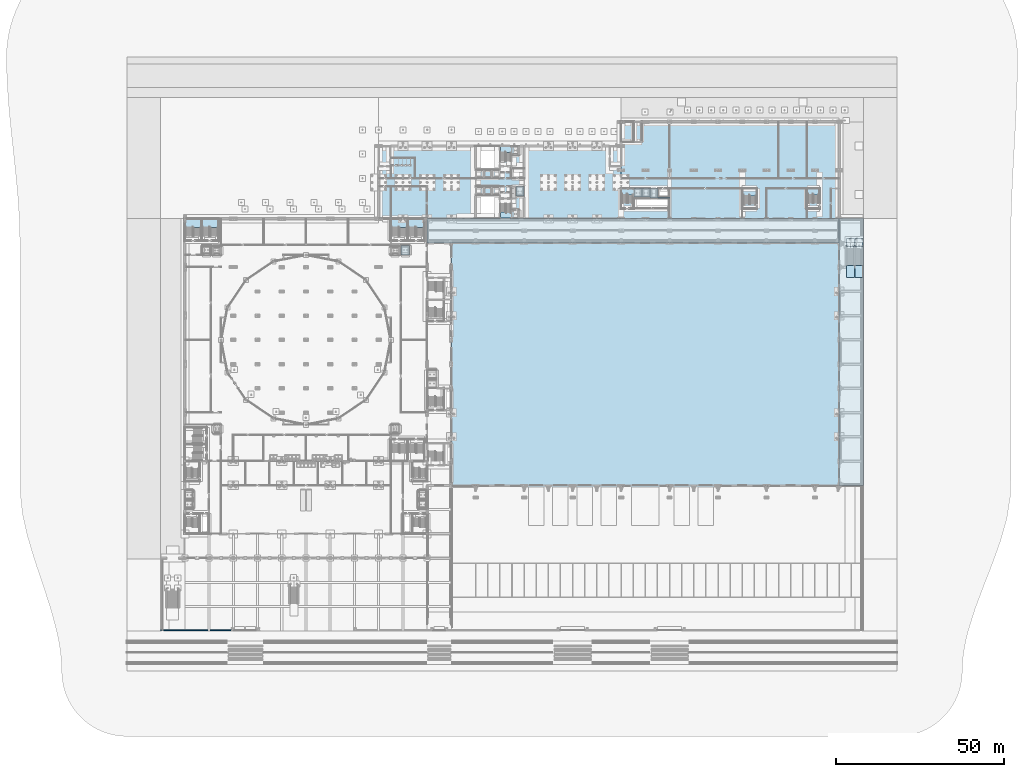
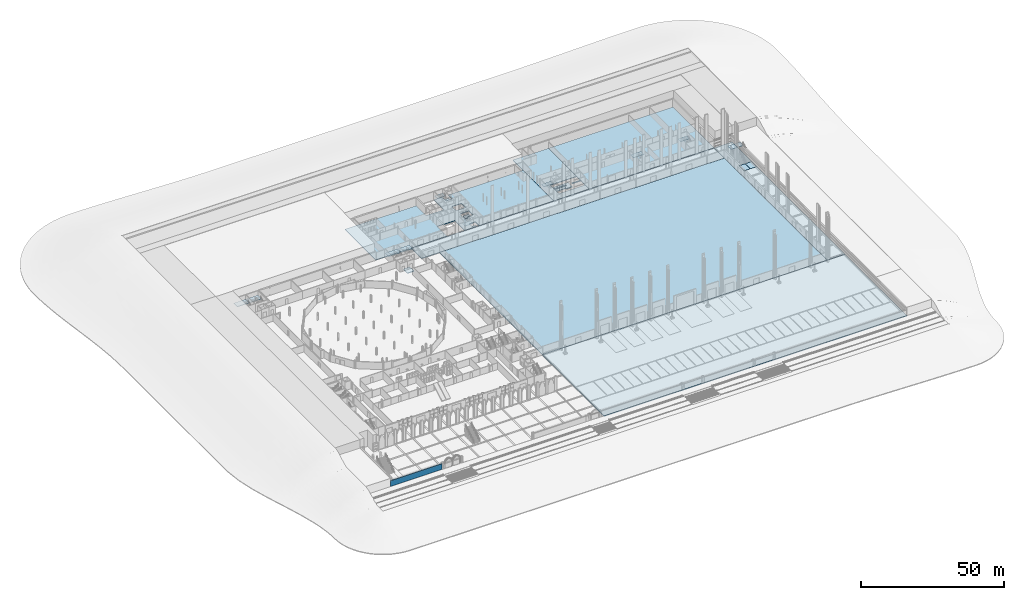
# One storey, part 74 of 148: 28 slabs, 1 wall, 11 elements without a shape of their own.
"""IFC4 building model written with IfcOpenShell, lengths in metres."""

from ifc_helpers import new_model, si_unit, direction, frame, frame_2d, origin, place, context, subcontext, project, spatial, polyline, rectangle, outline, extrude, material, layer, layer_set, type_object, element, aggregate, save


model = new_model("IFC4")

# Units and contexts
model_context = context("Model", 3, precision=1e-05, world=origin(), true_north=direction((0.0, 1.0)))
body_context = subcontext(model_context, "Body", "Model", "MODEL_VIEW")
ifc_project = project(units=[si_unit("LENGTHUNIT", "METRE"), si_unit("AREAUNIT", "SQUARE_METRE"), si_unit("VOLUMEUNIT", "CUBIC_METRE"), si_unit("PLANEANGLEUNIT", "RADIAN"), si_unit("MASSUNIT", "GRAM", prefix="KILO")], contexts=[model_context])

# Site, building, storey
site_placement = place(None, origin())
site = spatial("IfcSite", under=ifc_project, at=site_placement, CompositionType="ELEMENT")
building_placement = place(site_placement, origin())
building = spatial("IfcBuilding", under=site, at=building_placement, Name="Kupolbacken Congress Centre", CompositionType="ELEMENT")
storey_placement = place(building_placement, origin())
storey = spatial("IfcBuildingStorey", under=building, at=storey_placement, Name="L00", CompositionType="ELEMENT", Elevation=0.0)

# Slabs
ifc_material_1 = material(Name="Concrete C30/37", Category="concrete")
ifc_layer_1 = layer(ifc_material_1, 0.22998046875)
ifc_layer_set_1 = layer_set([ifc_layer_1], Name="Concrete C30/37")
slab_type_1 = type_object("IfcSlabType", Name="BS1 slab 230", PredefinedType="BASESLAB", material=ifc_layer_set_1)
slab_1_placement = place(storey_placement, frame((0.0, 0.0, -0.22998046875)))
element("IfcSlab", 1, at=slab_1_placement, inside=storey, type_object=slab_type_1, Name="S/ground/LANE", PredefinedType="BASESLAB", context=body_context, shape_type="SweptSolid", body=[
    extrude(outline(polyline([(201.599609375, 115.200439453125), (201.599609375, 122.3994140625), (79.200439453125, 122.3994140625), (79.200439453125, 115.200439453125), (201.599609375, 115.200439453125)])), origin(), (0.0, 0.0, 1.0), 0.22998046875),
])
slab_2_placement = place(storey_placement, frame((0.0, 0.0, -0.22998046875)))
element("IfcSlab", 2, at=slab_2_placement, inside=storey, type_object=slab_type_1, Name="S/ground/EAST_STRIP", PredefinedType="BASESLAB", context=body_context, shape_type="SweptSolid", body=[
    extrude(outline(polyline([(201.6005859375, 43.200439453125), (208.798583984375, 43.200439453125), (208.798583984375, 122.3994140625), (201.6005859375, 122.3994140625), (201.6005859375, 43.200439453125)]), holes=[polyline([(206.299560546875, 108.550537109375), (208.700439453125, 108.550537109375), (208.700439453125, 104.949462890625), (206.299560546875, 104.949462890625), (206.299560546875, 108.550537109375)]), polyline([(203.699462890625, 108.550537109375), (206.1005859375, 108.550537109375), (206.1005859375, 104.949462890625), (203.699462890625, 104.949462890625), (203.699462890625, 108.550537109375)])]), origin(), (0.0, 0.0, 1.0), 0.22998046875),
])
ifc_material_2 = material(Name="Concrete C30/37", Category="concrete")
ifc_layer_2 = layer(ifc_material_2, 0.260009765625)
ifc_layer_set_2 = layer_set([ifc_layer_2], Name="Concrete C30/37")
slab_type_2 = type_object("IfcSlabType", Name="BS2 slab 260", PredefinedType="BASESLAB", material=ifc_layer_set_2)
slab_3_placement = place(storey_placement, frame((0.0, 0.0, -0.260009765625)))
element("IfcSlab", 3, at=slab_3_placement, inside=storey, type_object=slab_type_2, Name="S/ground/T", PredefinedType="BASESLAB", context=body_context, shape_type="SweptSolid", body=[
    extrude(outline(polyline([(64.800537109375, 122.400390625), (93.599609375, 122.400390625), (93.599609375, 129.400390625), (100.800537109375, 129.400390625), (100.800537109375, 122.400390625), (104.199462890625, 122.400390625), (104.199462890625, 125.1005859375), (106.6005859375, 125.1005859375), (106.6005859375, 122.400390625), (136.799560546875, 122.400390625), (136.799560546875, 143.99951171875), (106.6005859375, 143.99951171875), (106.6005859375, 141.299560546875), (104.199462890625, 141.299560546875), (104.199462890625, 143.99951171875), (100.800537109375, 143.99951171875), (100.800537109375, 136.99951171875), (93.599609375, 136.99951171875), (93.599609375, 143.99951171875), (64.800537109375, 143.99951171875), (64.800537109375, 122.400390625)]), holes=[polyline([(105.6005859375, 128.3994140625), (104.199462890625, 128.3994140625), (104.199462890625, 132.00048828125), (108.00048828125, 132.00048828125), (108.00048828125, 129.099609375), (105.6005859375, 129.099609375), (105.6005859375, 128.3994140625)]), polyline([(104.199462890625, 134.3994140625), (104.199462890625, 137.300537109375), (108.00048828125, 137.300537109375), (108.00048828125, 134.3994140625), (104.199462890625, 134.3994140625)])]), origin(), (0.0, 0.0, 1.0), 0.260009765625),
])
slab_4_placement = place(storey_placement, frame((0.0, 0.0, -0.260009765625)))
element("IfcSlab", 4, at=slab_4_placement, inside=storey, type_object=slab_type_2, Name="S/ground/BF", PredefinedType="BASESLAB", context=body_context, shape_type="SweptSolid", body=[
    extrude(outline(polyline([(136.800537109375, 122.400390625), (151.199462890625, 122.400390625), (151.199462890625, 125.3994140625), (140.599609375, 125.3994140625), (140.599609375, 128.50048828125), (145.3994140625, 128.50048828125), (145.3994140625, 128.799560546875), (140.599609375, 128.799560546875), (140.599609375, 131.400390625), (151.199462890625, 131.400390625), (151.199462890625, 151.199462890625), (136.800537109375, 151.199462890625), (136.800537109375, 122.400390625)])), origin(), (0.0, 0.0, 1.0), 0.260009765625),
])
slab_5_placement = place(storey_placement, frame((0.0, 0.0, -0.260009765625)))
element("IfcSlab", 5, at=slab_5_placement, inside=storey, type_object=slab_type_2, Name="S/ground/BF/q1", PredefinedType="BASESLAB", context=body_context, shape_type="SweptSolid", body=[
    extrude(outline(polyline([(151.199462890625, 128.799560546875), (147.800537109375, 128.799560546875), (147.800537109375, 128.50048828125), (151.199462890625, 128.50048828125), (151.199462890625, 128.799560546875)])), origin(), (0.0, 0.0, 1.0), 0.260009765625),
])
slab_6_placement = place(storey_placement, frame((0.0, 0.0, -0.260009765625)))
element("IfcSlab", 6, at=slab_6_placement, inside=storey, type_object=slab_type_2, Name="S/ground/B", PredefinedType="BASESLAB", context=body_context, shape_type="SweptSolid", body=[
    extrude(outline(polyline([(201.599609375, 122.400390625), (201.599609375, 151.199462890625), (151.200439453125, 151.199462890625), (151.200439453125, 122.400390625), (201.599609375, 122.400390625)])), origin(), (0.0, 0.0, 1.0), 0.260009765625),
])
ifc_material_3 = material(Name="Concrete C30/37", Category="concrete")
ifc_layer_3 = layer(ifc_material_3, 0.300048828125)
ifc_layer_set_3 = layer_set([ifc_layer_3], Name="Concrete C30/37")
slab_type_3 = type_object("IfcSlabType", Name="BS3 slab 300", PredefinedType="BASESLAB", material=ifc_layer_set_3)
slab_7_placement = place(storey_placement, frame((0.0, 0.0, -0.300048828125)))
element("IfcSlab", 7, at=slab_7_placement, inside=storey, type_object=slab_type_3, Name="S/ground/H", PredefinedType="BASESLAB", context=body_context, shape_type="SweptSolid", body=[
    extrude(outline(polyline([(201.599609375, 43.200439453125), (201.599609375, 115.199462890625), (86.400390625, 115.199462890625), (86.400390625, 43.200439453125), (201.599609375, 43.200439453125)])), origin(), (0.0, 0.0, 1.0), 0.300048828125),
])
slab_8_placement = place(storey_placement, frame((0.0, 0.0, -1.699951171875)))
element("IfcSlab", 8, at=slab_8_placement, inside=storey, type_object=slab_type_3, Name="Lift pit slab LG2", PredefinedType="BASESLAB", context=body_context, shape_type="SweptSolid", body=[
    extrude(outline(polyline([(71.39990234375, 111.60009765625), (74.0, 111.60009765625), (74.0, 114.5), (71.39990234375, 114.5), (71.39990234375, 111.60009765625)])), origin(), (0.0, 0.0, 1.0), 0.300048828125),
])
slab_9_placement = place(storey_placement, frame((0.0, 0.0, -1.699951171875)))
element("IfcSlab", 9, at=slab_9_placement, inside=storey, type_object=slab_type_3, Name="Lift pit slab LF1", PredefinedType="BASESLAB", context=body_context, shape_type="SweptSolid", body=[
    extrude(outline(polyline([(104.199951171875, 122.39990234375), (106.60009765625, 122.39990234375), (106.60009765625, 125.10009765625), (104.199951171875, 125.10009765625), (104.199951171875, 122.39990234375)])), origin(), (0.0, 0.0, 1.0), 0.300048828125),
])
slab_10_placement = place(storey_placement, frame((0.0, 0.0, -1.699951171875)))
element("IfcSlab", 10, at=slab_10_placement, inside=storey, type_object=slab_type_3, Name="Lift pit slab LF2", PredefinedType="BASESLAB", context=body_context, shape_type="SweptSolid", body=[
    extrude(outline(polyline([(104.199951171875, 141.300048828125), (106.60009765625, 141.300048828125), (106.60009765625, 144.0), (104.199951171875, 144.0), (104.199951171875, 141.300048828125)])), origin(), (0.0, 0.0, 1.0), 0.300048828125),
])
slab_11_placement = place(storey_placement, frame((0.0, 0.0, -1.699951171875)))
element("IfcSlab", 11, at=slab_11_placement, inside=storey, type_object=slab_type_3, Name="Lift pit slab LV1", PredefinedType="BASESLAB", context=body_context, shape_type="SweptSolid", body=[
    extrude(outline(polyline([(105.60009765625, 129.10009765625), (108.0, 129.10009765625), (108.0, 132.0), (105.60009765625, 132.0), (105.60009765625, 129.10009765625)])), origin(), (0.0, 0.0, 1.0), 0.300048828125),
])
slab_12_placement = place(storey_placement, frame((0.0, 0.0, -1.699951171875)))
element("IfcSlab", 12, at=slab_12_placement, inside=storey, type_object=slab_type_3, Name="Lift pit slab LP15", PredefinedType="BASESLAB", context=body_context, shape_type="SweptSolid", body=[
    extrude(outline(polyline([(140.60009765625, 128.800048828125), (143.0, 128.800048828125), (143.0, 131.39990234375), (140.60009765625, 131.39990234375), (140.60009765625, 128.800048828125)])), origin(), (0.0, 0.0, 1.0), 0.300048828125),
])
slab_13_placement = place(storey_placement, frame((0.0, 0.0, -1.699951171875)))
element("IfcSlab", 13, at=slab_13_placement, inside=storey, type_object=slab_type_3, Name="Lift pit slab LP16", PredefinedType="BASESLAB", context=body_context, shape_type="SweptSolid", body=[
    extrude(outline(polyline([(143.0, 128.800048828125), (145.39990234375, 128.800048828125), (145.39990234375, 131.39990234375), (143.0, 131.39990234375), (143.0, 128.800048828125)])), origin(), (0.0, 0.0, 1.0), 0.300048828125),
])
slab_14_placement = place(storey_placement, frame((0.0, 0.0, -1.699951171875)))
element("IfcSlab", 14, at=slab_14_placement, inside=storey, type_object=slab_type_3, Name="Lift pit slab LV2", PredefinedType="BASESLAB", context=body_context, shape_type="SweptSolid", body=[
    extrude(outline(polyline([(145.39990234375, 128.5), (147.800048828125, 128.5), (147.800048828125, 131.39990234375), (145.39990234375, 131.39990234375), (145.39990234375, 128.5)])), origin(), (0.0, 0.0, 1.0), 0.300048828125),
])
ifc_material_4 = material(Name="Concrete C30/37", Category="concrete")
ifc_layer_4 = layer(ifc_material_4, 0.35009765625)
ifc_layer_set_4 = layer_set([ifc_layer_4], Name="Concrete C30/37")
slab_type_4 = type_object("IfcSlabType", Name="BS4 slab 350", PredefinedType="BASESLAB", material=ifc_layer_set_4)
slab_15_placement = place(storey_placement, frame((0.0, 0.0, -0.35009765625)))
element("IfcSlab", 15, at=slab_15_placement, inside=storey, type_object=slab_type_4, Name="S/ground/YARD", PredefinedType="BASESLAB", context=body_context, shape_type="SweptSolid", body=[
    extrude(outline(polyline([(208.798583984375, 0.00146484375), (208.798583984375, 43.199462890625), (86.400390625, 43.199462890625), (86.400390625, 0.00146484375), (208.798583984375, 0.00146484375)])), origin(), (0.0, 0.0, 1.0), 0.35009765625),
])

# Stair, slab
ifc_material_5 = material(Name="Steel S355", Category="steel")
stair_type_1 = type_object("IfcStairType", Name="ST2 stair 1500", PredefinedType="TWO_STRAIGHT_RUN_STAIR", material=ifc_material_5)
stair_1_placement = place(storey_placement, origin())
stair_1 = element("IfcStair", 16, at=stair_1_placement, inside=storey, type_object=stair_type_1, Name="C/stair/TS1/L00", PredefinedType="NOTDEFINED")
ifc_material_6 = material(Name="Concrete C30/37 precast", Category="concrete")
ifc_layer_5 = layer(ifc_material_6, 0.175048828125)
ifc_layer_set_5 = layer_set([ifc_layer_5], Name="Concrete C30/37 precast")
slab_type_5 = type_object("IfcSlabType", Name="SL1 slab 175", PredefinedType="LANDING", material=ifc_layer_set_5)
slab_16_placement = place(storey_placement, frame((0.0, 0.0, 1.539306640625)))
slab_16 = element("IfcSlab", 17, at=slab_16_placement, type_object=slab_type_5, Name="TS1 landing 1", PredefinedType="LANDING", context=body_context, shape_type="SweptSolid", body=[
    extrude(outline(polyline([(100.955078125, 122.554931640625), (104.219970703125, 122.554931640625), (104.219970703125, 124.3798828125), (100.955078125, 124.3798828125), (100.955078125, 122.554931640625)])), origin(), (0.0, 0.0, 1.0), 0.175048828125),
])
aggregate(stair_1, [slab_16])

stair_2_placement = place(storey_placement, origin())
stair_2 = element("IfcStair", 18, at=stair_2_placement, inside=storey, type_object=stair_type_1, Name="C/stair/TS2/L00", PredefinedType="NOTDEFINED")
slab_17_placement = place(storey_placement, frame((0.0, 0.0, 1.539306640625)))
slab_17 = element("IfcSlab", 19, at=slab_17_placement, type_object=slab_type_5, Name="TS2 landing 1", PredefinedType="LANDING", context=body_context, shape_type="SweptSolid", body=[
    extrude(outline(polyline([(100.955078125, 142.02001953125), (104.219970703125, 142.02001953125), (104.219970703125, 143.844970703125), (100.955078125, 143.844970703125), (100.955078125, 142.02001953125)])), origin(), (0.0, 0.0, 1.0), 0.175048828125),
])
aggregate(stair_2, [slab_17])

stair_3_placement = place(storey_placement, origin())
stair_3 = element("IfcStair", 20, at=stair_3_placement, inside=storey, type_object=stair_type_1, Name="C/stair/BS1/L00", PredefinedType="NOTDEFINED")
slab_18_placement = place(storey_placement, frame((0.0, 0.0, 1.539306640625)))
slab_18 = element("IfcSlab", 21, at=slab_18_placement, type_object=slab_type_5, Name="BS1 landing 1", PredefinedType="LANDING", context=body_context, shape_type="SweptSolid", body=[
    extrude(outline(polyline([(136.905029296875, 129.469970703125), (140.6201171875, 129.469970703125), (140.6201171875, 131.294921875), (136.905029296875, 131.294921875), (136.905029296875, 129.469970703125)])), origin(), (0.0, 0.0, 1.0), 0.175048828125),
])
aggregate(stair_3, [slab_18])

stair_4_placement = place(storey_placement, origin())
stair_4 = element("IfcStair", 22, at=stair_4_placement, inside=storey, type_object=stair_type_1, Name="C/stair/BS3/L00", PredefinedType="NOTDEFINED")
slab_19_placement = place(storey_placement, frame((0.0, 0.0, 1.539306640625)))
slab_19 = element("IfcSlab", 23, at=slab_19_placement, type_object=slab_type_5, Name="BS3 landing 1", PredefinedType="LANDING", context=body_context, shape_type="SweptSolid", body=[
    extrude(outline(polyline([(192.10498046875, 129.469970703125), (195.695068359375, 129.469970703125), (195.695068359375, 131.294921875), (192.10498046875, 131.294921875), (192.10498046875, 129.469970703125)])), origin(), (0.0, 0.0, 1.0), 0.175048828125),
])
aggregate(stair_4, [slab_19])

ifc_material_7 = material(Name="Concrete C30/37", Category="concrete")
stair_type_2 = type_object("IfcStairType", Name="ST13 stair 2200", PredefinedType="TWO_STRAIGHT_RUN_STAIR", material=ifc_material_7)
stair_5_placement = place(storey_placement, origin())
stair_5 = element("IfcStair", 24, at=stair_5_placement, inside=storey, type_object=stair_type_2, Name="C/stair/PS1NW/L00", PredefinedType="NOTDEFINED")
ifc_material_8 = material(Name="Concrete C30/37", Category="concrete")
ifc_layer_6 = layer(ifc_material_8, 0.175048828125)
ifc_material_9 = material(Name="Limestone", Category="masonry")
ifc_layer_7 = layer(ifc_material_9, 0.030029296875)
ifc_layer_set_6 = layer_set([ifc_layer_6, ifc_layer_7], Name="Concrete C30/37 / Limestone")
slab_type_6 = type_object("IfcSlabType", Name="SL2 slab 205", PredefinedType="LANDING", material=ifc_layer_set_6)
slab_20_placement = place(storey_placement, frame((0.0, 0.0, 1.50927734375)))
slab_20 = element("IfcSlab", 25, at=slab_20_placement, type_object=slab_type_6, Name="PS1NW landing 1", PredefinedType="LANDING", context=body_context, shape_type="SweptSolid", body=[
    extrude(outline(polyline([(7.304931640625, 119.77001953125), (12.094970703125, 119.77001953125), (12.094970703125, 122.294921875), (7.304931640625, 122.294921875), (7.304931640625, 119.77001953125)])), origin(), (0.0, 0.0, 1.0), 0.205078125),
])
aggregate(stair_5, [slab_20])

stair_6_placement = place(storey_placement, origin())
stair_6 = element("IfcStair", 26, at=stair_6_placement, inside=storey, type_object=stair_type_2, Name="C/stair/PS2NW/L00", PredefinedType="NOTDEFINED")
slab_21_placement = place(storey_placement, frame((0.0, 0.0, 1.50927734375)))
slab_21 = element("IfcSlab", 27, at=slab_21_placement, type_object=slab_type_6, Name="PS2NW landing 1", PredefinedType="LANDING", context=body_context, shape_type="SweptSolid", body=[
    extrude(outline(polyline([(12.304931640625, 119.77001953125), (17.094970703125, 119.77001953125), (17.094970703125, 122.294921875), (12.304931640625, 122.294921875), (12.304931640625, 119.77001953125)])), origin(), (0.0, 0.0, 1.0), 0.205078125),
])
aggregate(stair_6, [slab_21])

stair_7_placement = place(storey_placement, origin())
stair_7 = element("IfcStair", 28, at=stair_7_placement, inside=storey, type_object=stair_type_2, Name="C/stair/PS1NE/L00", PredefinedType="NOTDEFINED")
slab_22_placement = place(storey_placement, frame((0.0, 0.0, 1.50927734375)))
slab_22 = element("IfcSlab", 29, at=slab_22_placement, type_object=slab_type_6, Name="PS1NE landing 1", PredefinedType="LANDING", context=body_context, shape_type="SweptSolid", body=[
    extrude(outline(polyline([(68.5048828125, 119.77001953125), (73.294921875, 119.77001953125), (73.294921875, 122.294921875), (68.5048828125, 122.294921875), (68.5048828125, 119.77001953125)])), origin(), (0.0, 0.0, 1.0), 0.205078125),
])
aggregate(stair_7, [slab_22])

stair_8_placement = place(storey_placement, origin())
stair_8 = element("IfcStair", 30, at=stair_8_placement, inside=storey, type_object=stair_type_2, Name="C/stair/PS2NE/L00", PredefinedType="NOTDEFINED")
slab_23_placement = place(storey_placement, frame((0.0, 0.0, 1.50927734375)))
slab_23 = element("IfcSlab", 31, at=slab_23_placement, type_object=slab_type_6, Name="PS2NE landing 1", PredefinedType="LANDING", context=body_context, shape_type="SweptSolid", body=[
    extrude(outline(polyline([(73.5048828125, 119.77001953125), (78.294921875, 119.77001953125), (78.294921875, 122.294921875), (73.5048828125, 122.294921875), (73.5048828125, 119.77001953125)])), origin(), (0.0, 0.0, 1.0), 0.205078125),
])
aggregate(stair_8, [slab_23])

ifc_material_10 = material(Name="Steel S355", Category="steel")
stair_type_3 = type_object("IfcStairType", Name="ST3 stair 1800", PredefinedType="TWO_STRAIGHT_RUN_STAIR", material=ifc_material_10)
stair_9_placement = place(storey_placement, origin())
stair_9 = element("IfcStair", 32, at=stair_9_placement, inside=storey, type_object=stair_type_3, Name="C/stair/BS4/L00", PredefinedType="NOTDEFINED")
slab_24_placement = place(storey_placement, frame((0.0, 0.0, 1.50927734375)))
slab_24 = element("IfcSlab", 33, at=slab_24_placement, type_object=slab_type_6, Name="BS4 landing 1", PredefinedType="LANDING", context=body_context, shape_type="SweptSolid", body=[
    extrude(outline(polyline([(172.905029296875, 129.169921875), (177.094970703125, 129.169921875), (177.094970703125, 131.294921875), (172.905029296875, 131.294921875), (172.905029296875, 129.169921875)])), origin(), (0.0, 0.0, 1.0), 0.205078125),
])
aggregate(stair_9, [slab_24])

# Stair, slabs
ifc_material_11 = material(Name="Steel S355", Category="steel")
stair_type_4 = type_object("IfcStairType", Name="ST4 stair 2400", PredefinedType="STRAIGHT_RUN_STAIR", material=ifc_material_11)
stair_10_placement = place(storey_placement, origin())
stair_10 = element("IfcStair", 34, at=stair_10_placement, inside=storey, type_object=stair_type_4, Name="External stair XS2", PredefinedType="STRAIGHT_RUN_STAIR")
slab_25_placement = place(storey_placement, frame((0.0, 0.0, 3.39501953125)))
slab_25 = element("IfcSlab", 35, at=slab_25_placement, type_object=slab_type_6, Name="ST4 landing 1", PredefinedType="LANDING", context=body_context, shape_type="SweptSolid", body=[
    extrude(outline(polyline([(203.699951171875, 114.14501953125), (206.10009765625, 114.14501953125), (206.10009765625, 116.554931640625), (203.699951171875, 116.554931640625), (203.699951171875, 114.14501953125)])), origin(), (0.0, 0.0, 1.0), 0.205078125),
])
slab_26_placement = place(storey_placement, frame((0.0, 0.0, -0.205078125)))
slab_26 = element("IfcSlab", 36, at=slab_26_placement, type_object=slab_type_6, Name="ST4 landing 2", PredefinedType="LANDING", context=body_context, shape_type="SweptSolid", body=[
    extrude(outline(polyline([(203.699951171875, 104.945068359375), (206.10009765625, 104.945068359375), (206.10009765625, 108.554931640625), (203.699951171875, 108.554931640625), (203.699951171875, 104.945068359375)])), origin(), (0.0, 0.0, 1.0), 0.205078125),
])
aggregate(stair_10, [slab_25, slab_26])

stair_11_placement = place(storey_placement, origin())
stair_11 = element("IfcStair", 37, at=stair_11_placement, inside=storey, type_object=stair_type_4, Name="External stair XS3", PredefinedType="STRAIGHT_RUN_STAIR")
slab_27_placement = place(storey_placement, frame((0.0, 0.0, 3.39501953125)))
slab_27 = element("IfcSlab", 38, at=slab_27_placement, type_object=slab_type_6, Name="ST4 landing 1", PredefinedType="LANDING", context=body_context, shape_type="SweptSolid", body=[
    extrude(outline(polyline([(206.300048828125, 114.14501953125), (208.699951171875, 114.14501953125), (208.699951171875, 116.554931640625), (206.300048828125, 116.554931640625), (206.300048828125, 114.14501953125)])), origin(), (0.0, 0.0, 1.0), 0.205078125),
])
slab_28_placement = place(storey_placement, frame((0.0, 0.0, -0.205078125)))
slab_28 = element("IfcSlab", 39, at=slab_28_placement, type_object=slab_type_6, Name="ST4 landing 2", PredefinedType="LANDING", context=body_context, shape_type="SweptSolid", body=[
    extrude(outline(polyline([(206.300048828125, 104.945068359375), (208.699951171875, 104.945068359375), (208.699951171875, 108.554931640625), (206.300048828125, 108.554931640625), (206.300048828125, 104.945068359375)])), origin(), (0.0, 0.0, 1.0), 0.205078125),
])
aggregate(stair_11, [slab_27, slab_28])

# Wall
ifc_material_12 = material(Name="Brick", Category="masonry")
ifc_layer_8 = layer(ifc_material_12, 0.10791015625)
ifc_material_13 = material(Name="Concrete block", Category="masonry")
ifc_layer_9 = layer(ifc_material_13, 0.19189453125)
ifc_layer_set_7 = layer_set([ifc_layer_8, ifc_layer_9], Name="Brick / Concrete block")
wall_type = type_object("IfcWallType", Name="BW1 boundary wall 300", PredefinedType="SOLIDWALL", material=ifc_layer_set_7)
wall_placement = place(storey_placement, frame((0.0009765625, 0.175048828125, 0.0), z_axis=(0.0, 0.0, 1.0), x_axis=(1.0, 0.0, 0.0)))
element("IfcWall", 40, at=wall_placement, inside=storey, type_object=wall_type, Name="Boundary wall lower-west 01", PredefinedType="SOLIDWALL", context=body_context, shape_type="SweptSolid", body=[
    extrude(rectangle(XDim=20.9990234375, YDim=0.300048828125, at=frame_2d((10.49951171875, 0.0))), origin(), (0.0, 0.0, 1.0), 2.39990234375),
])

save(model, "model.ifc")
